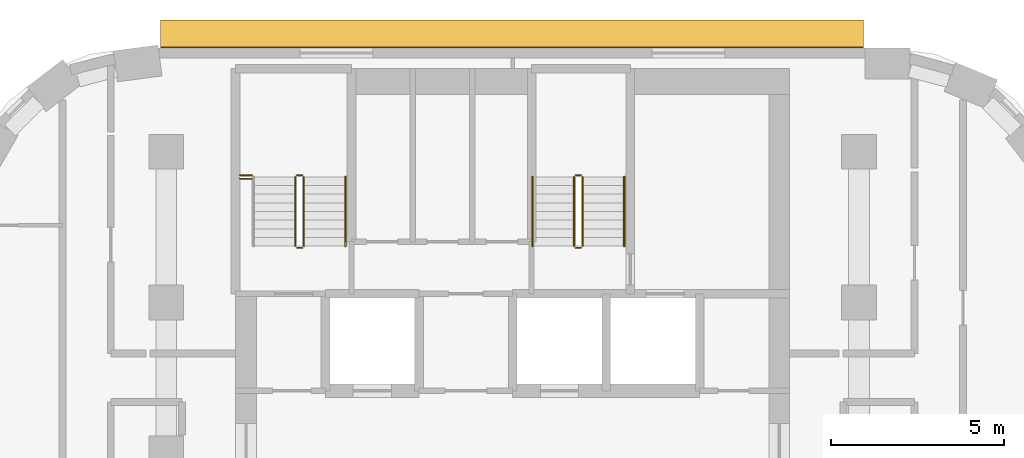
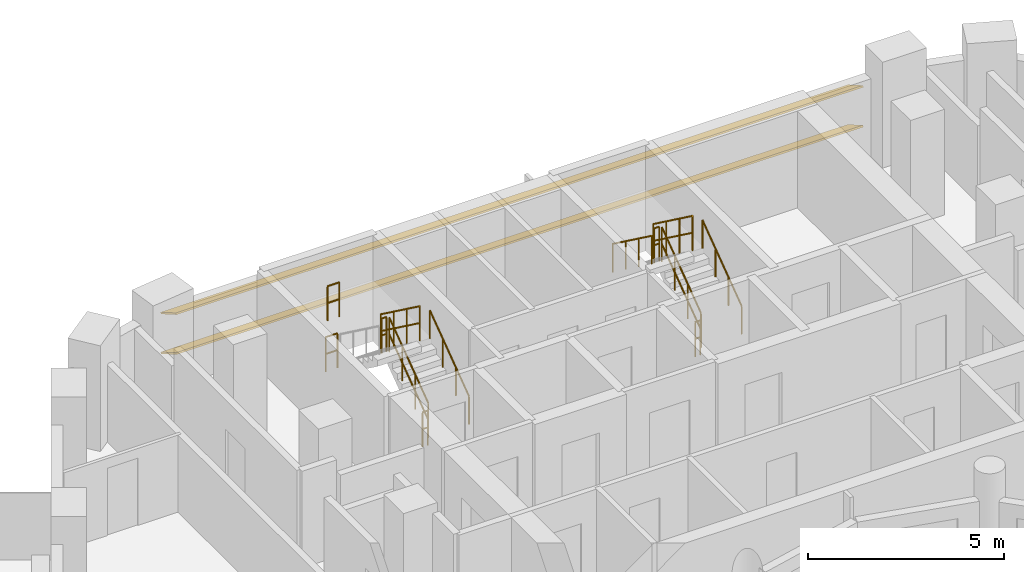
# One storey, part 13 of 13: 13 railings, 2 shading devices.
"""IFC4 building model written with IfcOpenShell, lengths in metres."""

from ifc_helpers import new_model, si_unit, direction, frame, origin, origin_2d, place, context, subcontext, project, spatial, rectangle, circle, extrude, material, material_profile, profile_set, type_object, element, save


model = new_model("IFC4")

# Units and contexts
model_context = context("Model", 3, precision=1e-05, world=origin(), true_north=direction((0.0, 1.0)))
body_context = subcontext(model_context, "Body", "Model", "MODEL_VIEW")
ifc_project = project(units=[si_unit("LENGTHUNIT", "METRE"), si_unit("AREAUNIT", "SQUARE_METRE"), si_unit("VOLUMEUNIT", "CUBIC_METRE"), si_unit("PLANEANGLEUNIT", "RADIAN"), si_unit("MASSUNIT", "GRAM", prefix="KILO")], contexts=[model_context])

# Site, building, storey
site_placement = place(None, origin())
site = spatial("IfcSite", under=ifc_project, at=site_placement, CompositionType="ELEMENT")
building_placement = place(site_placement, origin())
building = spatial("IfcBuilding", under=site, at=building_placement, Name="Nakaniwa Court", CompositionType="ELEMENT")
storey_placement = place(building_placement, frame((0.0, 0.0, 143.699951171875)))
storey = spatial("IfcBuildingStorey", under=building, at=storey_placement, Name="L37", CompositionType="ELEMENT", Elevation=143.699951171875)

# Shading devices
ifc_material_1 = material(Name="Perforated charcoal ceramic louvre blade")
ifc_material_profile = material_profile(ifc_material_1, rectangle(XDim=0.89990234375, YDim=0.050048828125, at=origin_2d()), Name="Perforated ceramic louvre blade")
ifc_profile_set = profile_set([ifc_material_profile], Name="Perforated charcoal ceramic louvre blade")
shading_device_type = type_object("IfcShadingDeviceType", Name="Perforated ceramic louvre blade", PredefinedType="JALOUSIE", material=ifc_profile_set)
for number, where, z_axis, x_axis, name in (
    (1, (90.128662109375, 104.402099609375, 0.550048828125), (-1.0, 0.0, 0.0), (0.0, -0.866025403784, 0.5), "L37 perforated ceramic louvre blade w08 1"),
    (2, (90.128662109375, 104.402099609375, 1.79345703125), (-1.0, 0.0, 0.0), (0.0, -0.866025403784, 0.5), "L37 perforated ceramic louvre blade w08 2"),
):
    element("IfcShadingDevice", number, at=place(storey_placement, frame(where, z_axis=z_axis, x_axis=x_axis)), inside=storey, type_object=shading_device_type, Name=name, PredefinedType="JALOUSIE", context=body_context, shape_type="SweptSolid", body=[
        extrude(rectangle(XDim=0.89990234375, YDim=0.050048828125, at=origin_2d()), origin(), (0.0, 0.0, 1.0), 20.291259765625),
    ])

# Railings
ifc_material_2 = material(Name="Black powder coated steel guard", Category="steel")
railing_type_1 = type_object("IfcRailingType", Name="Stair guard 1100", PredefinedType="GUARDRAIL", material=ifc_material_2)
railing_1_placement = place(storey_placement, frame((73.97509765625, 98.27490234375, 0.183349609375)))
element("IfcRailing", 3, at=railing_1_placement, inside=storey, type_object=railing_type_1, Name="L37 ST1 stair guard 1", PredefinedType="GUARDRAIL", context=body_context, shape_type="SweptSolid", body=[
    extrude(circle(Radius=0.02392578125, at=origin_2d()), frame((0.0, 0.0, 1.076171875), z_axis=(0.0, 0.806379959628, 0.591397802423), x_axis=(-1.0, 0.0, 0.0)), (0.0, 0.0, 1.0), 2.480224609375),
    extrude(circle(Radius=0.02392578125, at=origin_2d()), frame((0.0, 0.0, 0.550048828125), z_axis=(0.0, 0.806379959628, 0.591397802423), x_axis=(-1.0, 0.0, 0.0)), (0.0, 0.0, 1.0), 2.480224609375),
    extrude(circle(Radius=0.02099609375, at=origin_2d()), origin(), (0.0, 0.0, 1.0), 1.052001953125),
    extrude(circle(Radius=0.02099609375, at=origin_2d()), frame((0.0, 0.666748046875, 0.489013671875)), (0.0, 0.0, 1.0), 1.052001953125),
    extrude(circle(Radius=0.02099609375, at=origin_2d()), frame((0.0, 1.333251953125, 0.977783203125)), (0.0, 0.0, 1.0), 1.052001953125),
    extrude(circle(Radius=0.02099609375, at=origin_2d()), frame((0.0, 2.0, 1.466796875)), (0.0, 0.0, 1.0), 1.052001953125),
])
railing_2_placement = place(storey_placement, frame((73.925048828125, 100.324951171875, 1.650146484375)))
element("IfcRailing", 4, at=railing_2_placement, inside=storey, type_object=railing_type_1, Name="L37 ST1 stair guard 2", PredefinedType="GUARDRAIL", context=body_context, shape_type="SweptSolid", body=[
    extrude(circle(Radius=0.02392578125, at=origin_2d()), frame((0.0, 0.0, 1.076171875), z_axis=(-1.0, 0.0, 0.0), x_axis=(0.0, -1.0, 0.0)), (0.0, 0.0, 1.0), 0.150146484375),
    extrude(circle(Radius=0.02392578125, at=origin_2d()), frame((0.0, 0.0, 0.550048828125), z_axis=(-1.0, 0.0, 0.0), x_axis=(0.0, -1.0, 0.0)), (0.0, 0.0, 1.0), 0.150146484375),
    extrude(circle(Radius=0.02099609375, at=origin_2d()), origin(), (0.0, 0.0, 1.0), 1.052001953125),
    extrude(circle(Radius=0.02099609375, at=origin_2d()), frame((-0.150146484375, 0.0, 0.0)), (0.0, 0.0, 1.0), 1.052001953125),
])
railing_3_placement = place(storey_placement, frame((73.72509765625, 100.27490234375, 1.83349609375)))
element("IfcRailing", 5, at=railing_3_placement, inside=storey, type_object=railing_type_1, Name="L37 ST1 stair guard 3", PredefinedType="GUARDRAIL", context=body_context, shape_type="SweptSolid", body=[
    extrude(circle(Radius=0.02392578125, at=origin_2d()), frame((0.0, 0.0, 1.076171875), z_axis=(0.0, -0.806426902644, 0.591333789573), x_axis=(1.0, 0.0, 0.0)), (0.0, 0.0, 1.0), 2.47998046875),
    extrude(circle(Radius=0.02392578125, at=origin_2d()), frame((0.0, 0.0, 0.550048828125), z_axis=(0.0, -0.806426902644, 0.591333789573), x_axis=(1.0, 0.0, 0.0)), (0.0, 0.0, 1.0), 2.47998046875),
    extrude(circle(Radius=0.02099609375, at=origin_2d()), origin(), (0.0, 0.0, 1.0), 1.052001953125),
    extrude(circle(Radius=0.02099609375, at=origin_2d()), frame((0.0, -0.666748046875, 0.48876953125)), (0.0, 0.0, 1.0), 1.052001953125),
    extrude(circle(Radius=0.02099609375, at=origin_2d()), frame((0.0, -1.333251953125, 0.977783203125)), (0.0, 0.0, 1.0), 1.052001953125),
    extrude(circle(Radius=0.02099609375, at=origin_2d()), frame((0.0, -2.0, 1.466552734375)), (0.0, 0.0, 1.0), 1.052001953125),
])
railing_4_placement = place(storey_placement, frame((73.925048828125, 98.22509765625, 0.0)))
element("IfcRailing", 6, at=railing_4_placement, inside=storey, type_object=railing_type_1, Name="L37 ST1 stair guard 4", PredefinedType="GUARDRAIL", context=body_context, shape_type="SweptSolid", body=[
    extrude(circle(Radius=0.02392578125, at=origin_2d()), frame((0.0, 0.0, 1.076171875), z_axis=(-1.0, 0.0, 0.0), x_axis=(0.0, -1.0, 0.0)), (0.0, 0.0, 1.0), 0.150146484375),
    extrude(circle(Radius=0.02392578125, at=origin_2d()), frame((0.0, 0.0, 0.550048828125), z_axis=(-1.0, 0.0, 0.0), x_axis=(0.0, -1.0, 0.0)), (0.0, 0.0, 1.0), 0.150146484375),
    extrude(circle(Radius=0.02099609375, at=origin_2d()), origin(), (0.0, 0.0, 1.0), 1.052001953125),
    extrude(circle(Radius=0.02099609375, at=origin_2d()), frame((-0.150146484375, 0.0, 0.0)), (0.0, 0.0, 1.0), 1.052001953125),
])
for number, where, name in (
    (7, (72.125, 100.324951171875, 1.650146484375), "L37 ST1 landing side guard 1W"),
    (8, (72.125, 100.22509765625, 3.300048828125), "L37 ST1 floor edge guard 1W"),
):
    element("IfcRailing", number, at=place(storey_placement, frame(where)), inside=storey, type_object=railing_type_1, Name=name, PredefinedType="GUARDRAIL", context=body_context, shape_type="SweptSolid", body=[
        extrude(circle(Radius=0.02392578125, at=origin_2d()), frame((0.0, 0.0, 1.076171875), z_axis=(1.0, 0.0, 0.0), x_axis=(0.0, 1.0, 0.0)), (0.0, 0.0, 1.0), 0.35009765625),
        extrude(circle(Radius=0.02392578125, at=origin_2d()), frame((0.0, 0.0, 0.550048828125), z_axis=(1.0, 0.0, 0.0), x_axis=(0.0, 1.0, 0.0)), (0.0, 0.0, 1.0), 0.35009765625),
        extrude(circle(Radius=0.02099609375, at=origin_2d()), origin(), (0.0, 0.0, 1.0), 1.052001953125),
        extrude(circle(Radius=0.02099609375, at=origin_2d()), frame((0.35009765625, 0.0, 0.0)), (0.0, 0.0, 1.0), 1.052001953125),
    ])
railing_5_placement = place(storey_placement, frame((82.02490234375, 98.27490234375, 0.183349609375)))
element("IfcRailing", 9, at=railing_5_placement, inside=storey, type_object=railing_type_1, Name="L37 ST2 stair guard 1", PredefinedType="GUARDRAIL", context=body_context, shape_type="SweptSolid", body=[
    extrude(circle(Radius=0.02392578125, at=origin_2d()), frame((0.0, 0.0, 1.076171875), z_axis=(0.0, 0.806379959628, 0.591397802423), x_axis=(-1.0, 0.0, 0.0)), (0.0, 0.0, 1.0), 2.480224609375),
    extrude(circle(Radius=0.02392578125, at=origin_2d()), frame((0.0, 0.0, 0.550048828125), z_axis=(0.0, 0.806379959628, 0.591397802423), x_axis=(-1.0, 0.0, 0.0)), (0.0, 0.0, 1.0), 2.480224609375),
    extrude(circle(Radius=0.02099609375, at=origin_2d()), origin(), (0.0, 0.0, 1.0), 1.052001953125),
    extrude(circle(Radius=0.02099609375, at=origin_2d()), frame((0.0, 0.666748046875, 0.489013671875)), (0.0, 0.0, 1.0), 1.052001953125),
    extrude(circle(Radius=0.02099609375, at=origin_2d()), frame((0.0, 1.333251953125, 0.977783203125)), (0.0, 0.0, 1.0), 1.052001953125),
    extrude(circle(Radius=0.02099609375, at=origin_2d()), frame((0.0, 2.0, 1.466796875)), (0.0, 0.0, 1.0), 1.052001953125),
])
railing_6_placement = place(storey_placement, frame((81.97509765625, 100.324951171875, 1.650146484375)))
element("IfcRailing", 10, at=railing_6_placement, inside=storey, type_object=railing_type_1, Name="L37 ST2 stair guard 2", PredefinedType="GUARDRAIL", context=body_context, shape_type="SweptSolid", body=[
    extrude(circle(Radius=0.02392578125, at=origin_2d()), frame((0.0, 0.0, 1.076171875), z_axis=(-1.0, 0.0, 0.0), x_axis=(0.0, -1.0, 0.0)), (0.0, 0.0, 1.0), 0.150146484375),
    extrude(circle(Radius=0.02392578125, at=origin_2d()), frame((0.0, 0.0, 0.550048828125), z_axis=(-1.0, 0.0, 0.0), x_axis=(0.0, -1.0, 0.0)), (0.0, 0.0, 1.0), 0.150146484375),
    extrude(circle(Radius=0.02099609375, at=origin_2d()), origin(), (0.0, 0.0, 1.0), 1.052001953125),
    extrude(circle(Radius=0.02099609375, at=origin_2d()), frame((-0.150146484375, 0.0, 0.0)), (0.0, 0.0, 1.0), 1.052001953125),
])
railing_7_placement = place(storey_placement, frame((81.77490234375, 100.27490234375, 1.83349609375)))
element("IfcRailing", 11, at=railing_7_placement, inside=storey, type_object=railing_type_1, Name="L37 ST2 stair guard 3", PredefinedType="GUARDRAIL", context=body_context, shape_type="SweptSolid", body=[
    extrude(circle(Radius=0.02392578125, at=origin_2d()), frame((0.0, 0.0, 1.076171875), z_axis=(0.0, -0.806426902644, 0.591333789573), x_axis=(1.0, 0.0, 0.0)), (0.0, 0.0, 1.0), 2.47998046875),
    extrude(circle(Radius=0.02392578125, at=origin_2d()), frame((0.0, 0.0, 0.550048828125), z_axis=(0.0, -0.806426902644, 0.591333789573), x_axis=(1.0, 0.0, 0.0)), (0.0, 0.0, 1.0), 2.47998046875),
    extrude(circle(Radius=0.02099609375, at=origin_2d()), origin(), (0.0, 0.0, 1.0), 1.052001953125),
    extrude(circle(Radius=0.02099609375, at=origin_2d()), frame((0.0, -0.666748046875, 0.48876953125)), (0.0, 0.0, 1.0), 1.052001953125),
    extrude(circle(Radius=0.02099609375, at=origin_2d()), frame((0.0, -1.333251953125, 0.977783203125)), (0.0, 0.0, 1.0), 1.052001953125),
    extrude(circle(Radius=0.02099609375, at=origin_2d()), frame((0.0, -2.0, 1.466552734375)), (0.0, 0.0, 1.0), 1.052001953125),
])
railing_8_placement = place(storey_placement, frame((81.97509765625, 98.22509765625, 0.0)))
element("IfcRailing", 12, at=railing_8_placement, inside=storey, type_object=railing_type_1, Name="L37 ST2 stair guard 4", PredefinedType="GUARDRAIL", context=body_context, shape_type="SweptSolid", body=[
    extrude(circle(Radius=0.02392578125, at=origin_2d()), frame((0.0, 0.0, 1.076171875), z_axis=(-1.0, 0.0, 0.0), x_axis=(0.0, -1.0, 0.0)), (0.0, 0.0, 1.0), 0.150146484375),
    extrude(circle(Radius=0.02392578125, at=origin_2d()), frame((0.0, 0.0, 0.550048828125), z_axis=(-1.0, 0.0, 0.0), x_axis=(0.0, -1.0, 0.0)), (0.0, 0.0, 1.0), 0.150146484375),
    extrude(circle(Radius=0.02099609375, at=origin_2d()), origin(), (0.0, 0.0, 1.0), 1.052001953125),
    extrude(circle(Radius=0.02099609375, at=origin_2d()), frame((-0.150146484375, 0.0, 0.0)), (0.0, 0.0, 1.0), 1.052001953125),
])
ifc_material_3 = material(Name="Black powder coated steel handrail", Category="steel")
railing_type_2 = type_object("IfcRailingType", Name="Stair handrail 900", PredefinedType="HANDRAIL", material=ifc_material_3)
for number, where, name in (
    (13, (75.175048828125, 98.27490234375, 0.183349609375), "L37 ST1 stair handrail 1"),
    (14, (83.22509765625, 98.27490234375, 0.183349609375), "L37 ST2 stair handrail 1"),
):
    element("IfcRailing", number, at=place(storey_placement, frame(where)), inside=storey, type_object=railing_type_2, Name=name, PredefinedType="HANDRAIL", context=body_context, shape_type="SweptSolid", body=[
        extrude(circle(Radius=0.02392578125, at=origin_2d()), frame((0.0, 0.0, 0.8759765625), z_axis=(0.0, 0.806379959628, 0.591397802423), x_axis=(-1.0, 0.0, 0.0)), (0.0, 0.0, 1.0), 2.480224609375),
        extrude(circle(Radius=0.02099609375, at=origin_2d()), origin(), (0.0, 0.0, 1.0), 0.851806640625),
        extrude(circle(Radius=0.02099609375, at=origin_2d()), frame((0.0, 0.666748046875, 0.489013671875)), (0.0, 0.0, 1.0), 0.851806640625),
        extrude(circle(Radius=0.02099609375, at=origin_2d()), frame((0.0, 1.333251953125, 0.977783203125)), (0.0, 0.0, 1.0), 0.851806640625),
        extrude(circle(Radius=0.02099609375, at=origin_2d()), frame((0.0, 2.0, 1.466796875)), (0.0, 0.0, 1.0), 0.851806640625),
    ])
railing_9_placement = place(storey_placement, frame((80.574951171875, 100.27490234375, 1.83349609375)))
element("IfcRailing", 15, at=railing_9_placement, inside=storey, type_object=railing_type_2, Name="L37 ST2 stair handrail 2", PredefinedType="HANDRAIL", context=body_context, shape_type="SweptSolid", body=[
    extrude(circle(Radius=0.02392578125, at=origin_2d()), frame((0.0, 0.0, 0.8759765625), z_axis=(0.0, -0.806426902644, 0.591333789573), x_axis=(1.0, 0.0, 0.0)), (0.0, 0.0, 1.0), 2.47998046875),
    extrude(circle(Radius=0.02099609375, at=origin_2d()), origin(), (0.0, 0.0, 1.0), 0.851806640625),
    extrude(circle(Radius=0.02099609375, at=origin_2d()), frame((0.0, -0.666748046875, 0.48876953125)), (0.0, 0.0, 1.0), 0.851806640625),
    extrude(circle(Radius=0.02099609375, at=origin_2d()), frame((0.0, -1.333251953125, 0.977783203125)), (0.0, 0.0, 1.0), 0.851806640625),
    extrude(circle(Radius=0.02099609375, at=origin_2d()), frame((0.0, -2.0, 1.466552734375)), (0.0, 0.0, 1.0), 0.851806640625),
])

save(model, "model.ifc")
